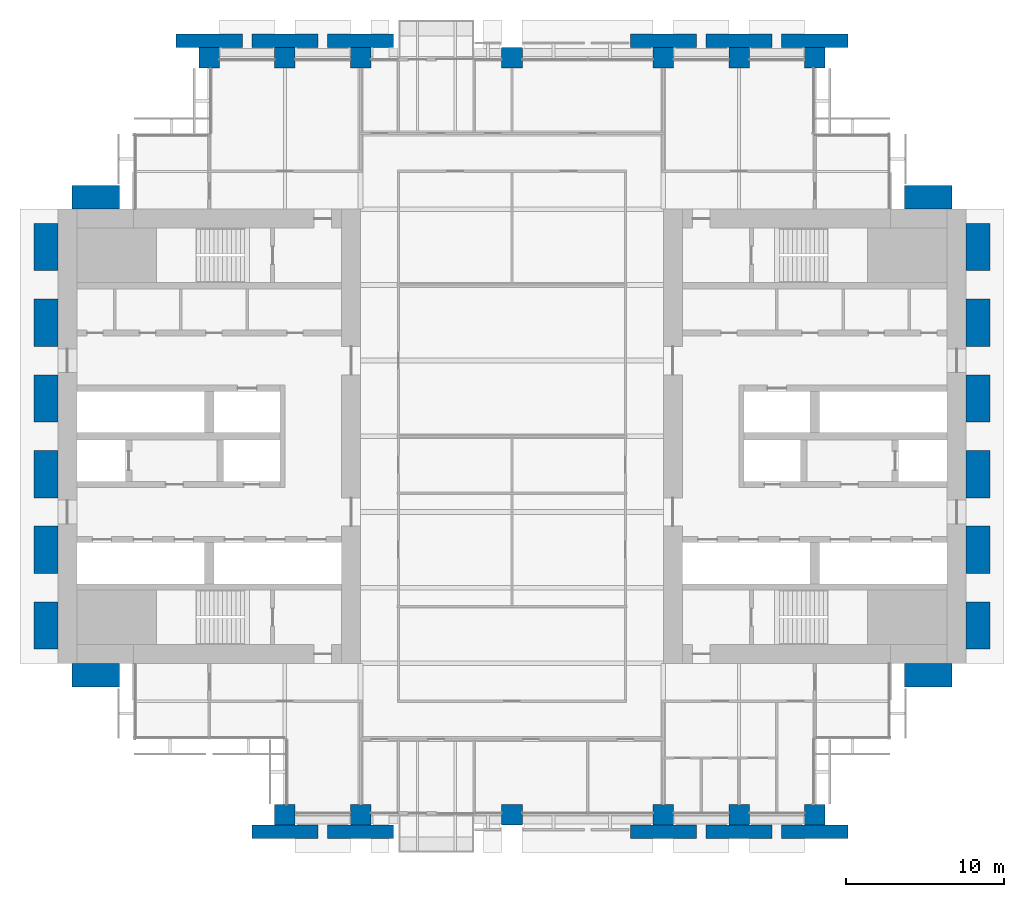
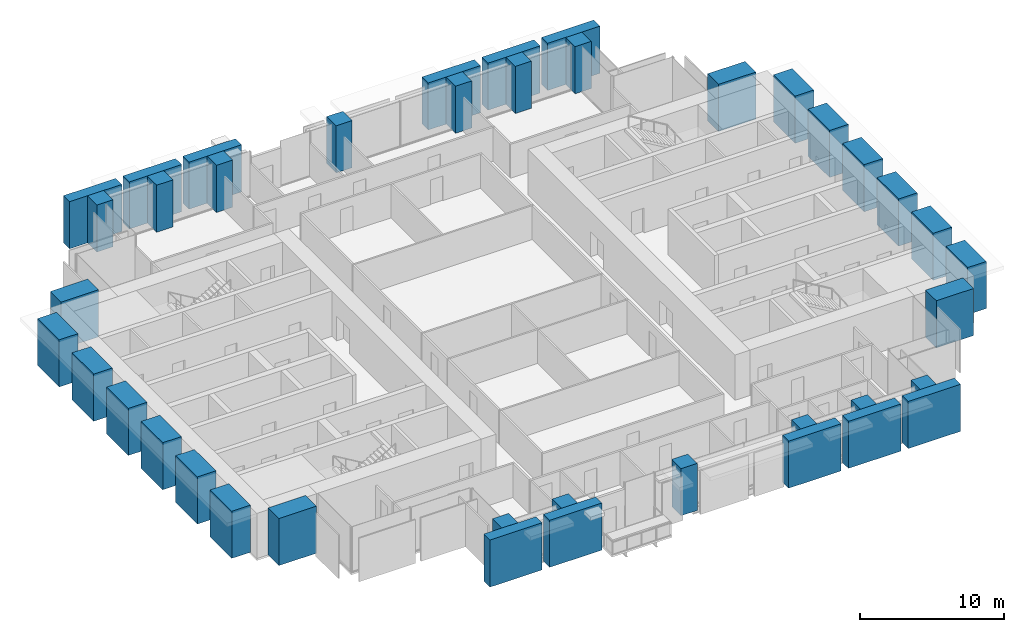
# One storey, part 1 of 15: 40 columns.
"""IFC4 building model written with IfcOpenShell, lengths in metres."""

from ifc_helpers import new_model, si_unit, direction, frame, origin, origin_2d, place, context, subcontext, project, spatial, rectangle, extrude, material, material_profile, profile_set, type_object, element, save


model = new_model("IFC4")

# Units and contexts
model_context = context("Model", 3, precision=1e-05, world=origin(), true_north=direction((0.0, 1.0)))
body_context = subcontext(model_context, "Body", "Model", "MODEL_VIEW")
ifc_project = project(units=[si_unit("LENGTHUNIT", "METRE"), si_unit("AREAUNIT", "SQUARE_METRE"), si_unit("VOLUMEUNIT", "CUBIC_METRE"), si_unit("PLANEANGLEUNIT", "RADIAN"), si_unit("MASSUNIT", "GRAM", prefix="KILO")], contexts=[model_context])

# Site, building, storey
site_placement = place(None, origin())
site = spatial("IfcSite", under=ifc_project, at=site_placement, CompositionType="ELEMENT")
building_placement = place(site_placement, origin())
building = spatial("IfcBuilding", under=site, at=building_placement, Name="Baori Bourse Tower", CompositionType="ELEMENT")
storey_placement = place(building_placement, frame((0.0, 0.0, 47.0)))
storey = spatial("IfcBuildingStorey", under=building, at=storey_placement, Name="L09", CompositionType="ELEMENT", Elevation=47.0)

# Columns
ifc_material_1 = material(Name="Concrete f'c 60 MPa", Category="concrete")
ifc_material_profile_1 = material_profile(ifc_material_1, rectangle(XDim=4.199951171875, YDim=0.85009765625, at=origin_2d()), Name="RC 4200x850")
ifc_profile_set_1 = profile_set([ifc_material_profile_1], Name="Concrete f'c 60 MPa")
column_type_1 = type_object("IfcColumnType", Name="FN3 Brick pilaster 4200x850", PredefinedType="PILASTER", material=ifc_profile_set_1)
for number, where, z_axis, x_axis, name in (
    (1, (14.39990234375, -1.074951171875, 0.0), (0.0, 0.0, 1.0), (1.0, 0.0, 0.0), "Brick pilaster L09 17"),
    (2, (19.199951171875, -1.074951171875, 0.0), (0.0, 0.0, 1.0), (1.0, 0.0, 0.0), "Brick pilaster L09 18"),
    (3, (38.39990234375, -1.074951171875, 0.0), (0.0, 0.0, 1.0), (1.0, 0.0, 0.0), "Brick pilaster L09 19"),
    (4, (43.199951171875, -1.074951171875, 0.0), (0.0, 0.0, 1.0), (1.0, 0.0, 0.0), "Brick pilaster L09 20"),
    (5, (48.0, -1.074951171875, 0.0), (0.0, 0.0, 1.0), (1.0, 0.0, 0.0), "Brick pilaster L09 21"),
    (6, (9.60009765625, 49.074951171875, 0.0), (0.0, 0.0, 1.0), (1.0, 0.0, 0.0), "Brick pilaster L09 22"),
    (7, (14.39990234375, 49.074951171875, 0.0), (0.0, 0.0, 1.0), (1.0, 0.0, 0.0), "Brick pilaster L09 23"),
    (8, (19.199951171875, 49.074951171875, 0.0), (0.0, 0.0, 1.0), (1.0, 0.0, 0.0), "Brick pilaster L09 24"),
    (9, (38.39990234375, 49.074951171875, 0.0), (0.0, 0.0, 1.0), (1.0, 0.0, 0.0), "Brick pilaster L09 25"),
    (10, (43.199951171875, 49.074951171875, 0.0), (0.0, 0.0, 1.0), (1.0, 0.0, 0.0), "Brick pilaster L09 26"),
    (11, (48.0, 49.074951171875, 0.0), (0.0, 0.0, 1.0), (1.0, 0.0, 0.0), "Brick pilaster L09 27"),
):
    element("IfcColumn", number, at=place(storey_placement, frame(where, z_axis=z_axis, x_axis=x_axis)), inside=storey, type_object=column_type_1, Name=name, PredefinedType="PILASTER", context=body_context, shape_type="SweptSolid", body=[
        extrude(rectangle(XDim=4.199951171875, YDim=0.85009765625, at=origin_2d()), origin(), (0.0, 0.0, 1.0), 4.0),
    ])
ifc_material_2 = material(Name="Concrete f'c 60 MPa", Category="concrete")
ifc_material_profile_2 = material_profile(ifc_material_2, rectangle(XDim=3.0, YDim=1.5, at=origin_2d()), Name="RC 3000x1500")
ifc_profile_set_2 = profile_set([ifc_material_profile_2], Name="Concrete f'c 60 MPa")
column_type_2 = type_object("IfcColumnType", Name="FN4 Brick flank pilaster 3000x1500", PredefinedType="PILASTER", material=ifc_profile_set_2)
for number, where, z_axis, x_axis, name in (
    (12, (55.199951171875, 8.85009765625, 0.0), (0.0, 0.0, 1.0), (1.0, 0.0, 0.0), "Brick pilaster L09 1"),
    (13, (58.35009765625, 12.0, 0.0), (0.0, 0.0, 1.0), (0.0, 1.0, 0.0), "Brick pilaster L09 2"),
    (14, (58.35009765625, 16.800048828125, 0.0), (0.0, 0.0, 1.0), (0.0, 1.0, 0.0), "Brick pilaster L09 3"),
    (15, (58.35009765625, 21.60009765625, 0.0), (0.0, 0.0, 1.0), (0.0, 1.0, 0.0), "Brick pilaster L09 4"),
    (16, (58.35009765625, 26.39990234375, 0.0), (0.0, 0.0, 1.0), (0.0, 1.0, 0.0), "Brick pilaster L09 5"),
    (17, (58.35009765625, 31.199951171875, 0.0), (0.0, 0.0, 1.0), (0.0, 1.0, 0.0), "Brick pilaster L09 6"),
    (18, (58.35009765625, 36.0, 0.0), (0.0, 0.0, 1.0), (0.0, 1.0, 0.0), "Brick pilaster L09 7"),
    (19, (55.199951171875, 39.14990234375, 0.0), (0.0, 0.0, 1.0), (1.0, 0.0, 0.0), "Brick pilaster L09 8"),
    (20, (2.39990234375, 39.14990234375, 0.0), (0.0, 0.0, 1.0), (1.0, 0.0, 0.0), "Brick pilaster L09 9"),
    (21, (-0.75, 12.0, 0.0), (0.0, 0.0, 1.0), (0.0, 1.0, 0.0), "Brick pilaster L09 10"),
    (22, (-0.75, 16.800048828125, 0.0), (0.0, 0.0, 1.0), (0.0, 1.0, 0.0), "Brick pilaster L09 11"),
    (23, (-0.75, 21.60009765625, 0.0), (0.0, 0.0, 1.0), (0.0, 1.0, 0.0), "Brick pilaster L09 12"),
    (24, (-0.75, 26.39990234375, 0.0), (0.0, 0.0, 1.0), (0.0, 1.0, 0.0), "Brick pilaster L09 13"),
    (25, (-0.75, 31.199951171875, 0.0), (0.0, 0.0, 1.0), (0.0, 1.0, 0.0), "Brick pilaster L09 14"),
    (26, (-0.75, 36.0, 0.0), (0.0, 0.0, 1.0), (0.0, 1.0, 0.0), "Brick pilaster L09 15"),
    (27, (2.39990234375, 8.85009765625, 0.0), (0.0, 0.0, 1.0), (1.0, 0.0, 0.0), "Brick pilaster L09 16"),
):
    element("IfcColumn", number, at=place(storey_placement, frame(where, z_axis=z_axis, x_axis=x_axis)), inside=storey, type_object=column_type_2, Name=name, PredefinedType="PILASTER", context=body_context, shape_type="SweptSolid", body=[
        extrude(rectangle(XDim=3.0, YDim=1.5, at=origin_2d()), origin(), (0.0, 0.0, 1.0), 4.0),
    ])
ifc_material_3 = material(Name="Concrete f'c 70 MPa", Category="concrete")
ifc_material_profile_3 = material_profile(ifc_material_3, rectangle(XDim=1.300048828125, YDim=1.300048828125, at=origin_2d()), Name="RC 1300x1300")
ifc_profile_set_3 = profile_set([ifc_material_profile_3], Name="Concrete f'c 70 MPa")
column_type_3 = type_object("IfcColumnType", Name="Perimeter column RC 1300x1300", PredefinedType="COLUMN", material=ifc_profile_set_3)
for number, where, z_axis, x_axis, name in (
    (28, (14.39990234375, 0.0, 0.0), (0.0, 0.0, 1.0), (1.0, 0.0, 0.0), "Perimeter column L09"),
    (29, (19.199951171875, 0.0, 0.0), (0.0, 0.0, 1.0), (1.0, 0.0, 0.0), "Perimeter column L09"),
    (30, (28.800048828125, 0.0, 0.0), (0.0, 0.0, 1.0), (1.0, 0.0, 0.0), "Perimeter column L09"),
    (31, (38.39990234375, 0.0, 0.0), (0.0, 0.0, 1.0), (1.0, 0.0, 0.0), "Perimeter column L09"),
    (32, (43.199951171875, 0.0, 0.0), (0.0, 0.0, 1.0), (1.0, 0.0, 0.0), "Perimeter column L09"),
    (33, (48.0, 0.0, 0.0), (0.0, 0.0, 1.0), (1.0, 0.0, 0.0), "Perimeter column L09"),
    (34, (9.60009765625, 48.0, 0.0), (0.0, 0.0, 1.0), (1.0, 0.0, 0.0), "Perimeter column L09"),
    (35, (14.39990234375, 48.0, 0.0), (0.0, 0.0, 1.0), (1.0, 0.0, 0.0), "Perimeter column L09"),
    (36, (19.199951171875, 48.0, 0.0), (0.0, 0.0, 1.0), (1.0, 0.0, 0.0), "Perimeter column L09"),
    (37, (28.800048828125, 48.0, 0.0), (0.0, 0.0, 1.0), (1.0, 0.0, 0.0), "Perimeter column L09"),
    (38, (38.39990234375, 48.0, 0.0), (0.0, 0.0, 1.0), (1.0, 0.0, 0.0), "Perimeter column L09"),
    (39, (43.199951171875, 48.0, 0.0), (0.0, 0.0, 1.0), (1.0, 0.0, 0.0), "Perimeter column L09"),
    (40, (48.0, 48.0, 0.0), (0.0, 0.0, 1.0), (1.0, 0.0, 0.0), "Perimeter column L09"),
):
    element("IfcColumn", number, at=place(storey_placement, frame(where, z_axis=z_axis, x_axis=x_axis)), inside=storey, type_object=column_type_3, Name=name, PredefinedType="COLUMN", context=body_context, shape_type="SweptSolid", body=[
        extrude(rectangle(XDim=1.300048828125, YDim=1.300048828125, at=origin_2d()), origin(), (0.0, 0.0, 1.0), 4.0),
    ])

save(model, "model.ifc")
